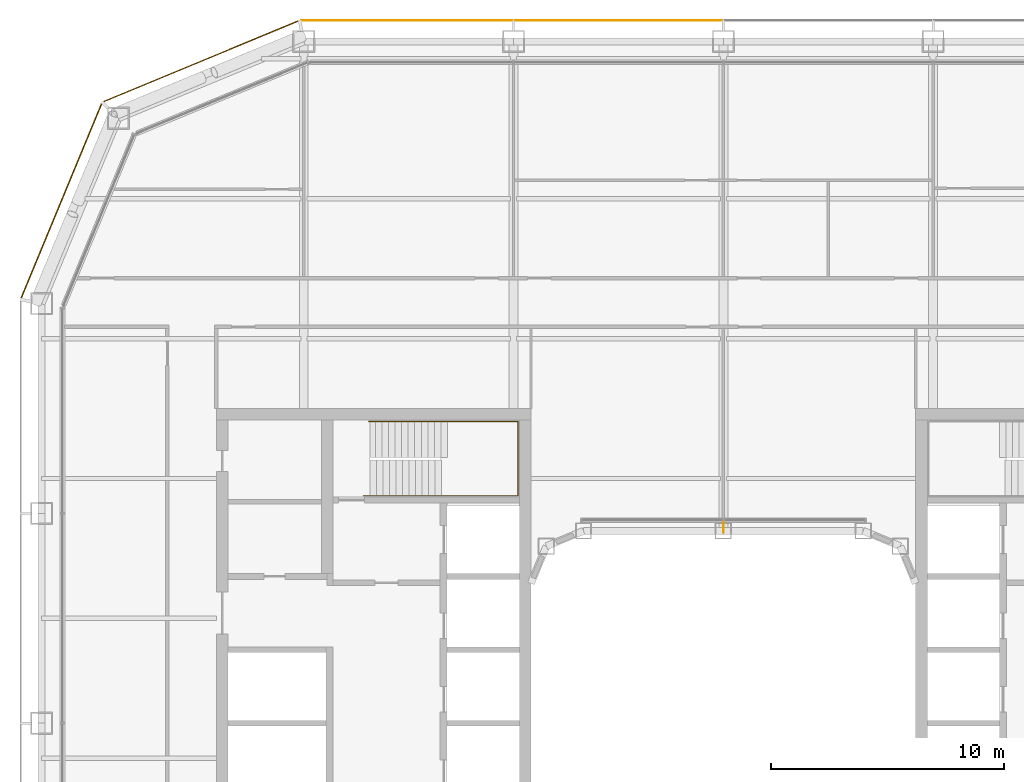
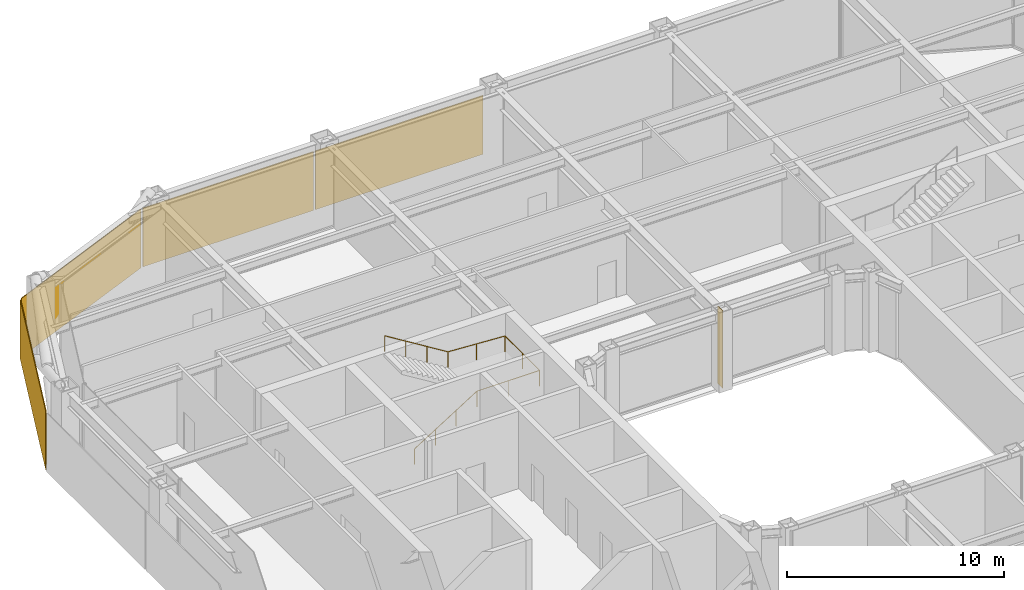
# One storey, part 20 of 21: 4 coverings, 1 railing, 1 shading device.
"""IFC4 building model written with IfcOpenShell, lengths in metres."""

from ifc_helpers import new_model, si_unit, direction, frame, origin, origin_2d, place, context, subcontext, project, spatial, rectangle, circle, extrude, material, layer, layer_set, type_object, element, save


model = new_model("IFC4")

# Units and contexts
model_context = context("Model", 3, precision=1e-05, world=origin(), true_north=direction((0.0, 1.0)))
body_context = subcontext(model_context, "Body", "Model", "MODEL_VIEW")
ifc_project = project(units=[si_unit("LENGTHUNIT", "METRE"), si_unit("AREAUNIT", "SQUARE_METRE"), si_unit("VOLUMEUNIT", "CUBIC_METRE"), si_unit("PLANEANGLEUNIT", "RADIAN"), si_unit("MASSUNIT", "GRAM", prefix="KILO")], contexts=[model_context])

# Site, building, storey
site_placement = place(None, origin())
site = spatial("IfcSite", under=ifc_project, at=site_placement, CompositionType="ELEMENT")
building_placement = place(site_placement, origin())
building = spatial("IfcBuilding", under=site, at=building_placement, Name="Siwar Civic Tower", CompositionType="ELEMENT")
storey_placement = place(building_placement, frame((0.0, 0.0, 104.699951171875)))
storey = spatial("IfcBuildingStorey", under=building, at=storey_placement, Name="L22", CompositionType="ELEMENT", Elevation=104.699951171875)

# Railing
ifc_material_1 = material(Name="Stainless steel", Category="steel")
railing_type = type_object("IfcRailingType", Name="CORE-STAIR-HANDRAIL", PredefinedType="HANDRAIL", material=ifc_material_1)
railing_placement = place(storey_placement, frame((-15.449951171875, 9.758056640625, 0.173095703125)))
element("IfcRailing", 1, at=railing_placement, inside=storey, type_object=railing_type, Name="Stair handrail ST1", PredefinedType="HANDRAIL", context=body_context, shape_type="SweptSolid", body=[
    extrude(circle(Radius=0.02001953125, at=origin_2d()), frame((0.0, 0.0, 0.8798828125), z_axis=(0.847063342986, 0.0, 0.531491950051), x_axis=(0.0, 1.0, 0.0)), (0.0, 0.0, 1.0), 3.90771484375),
    extrude(circle(Radius=0.02001953125, at=origin_2d()), frame((3.31005859375, 0.0, 2.956787109375), z_axis=(1.0, 0.0, 0.0), x_axis=(0.0, 1.0, 0.0)), (0.0, 0.0, 1.0), 3.331787109375),
    extrude(circle(Radius=0.02001953125, at=origin_2d()), frame((6.641845703125, 0.0, 2.956787109375), z_axis=(0.0, 1.0, 0.0), x_axis=(-1.0, 0.0, 0.0)), (0.0, 0.0, 1.0), 3.183837890625),
    extrude(circle(Radius=0.02001953125, at=origin_2d()), frame((6.641845703125, 3.183837890625, 2.956787109375), z_axis=(-0.99837434197, 0.0, 0.056997134106), x_axis=(0.0, -1.0, 0.0)), (0.0, 0.0, 1.0), 3.036865234375),
    extrude(circle(Radius=0.02001953125, at=origin_2d()), frame((3.60986328125, 3.183837890625, 3.1298828125), z_axis=(-0.850606129759, 0.0, 0.525803396734), x_axis=(0.0, -1.0, 0.0)), (0.0, 0.0, 1.0), 3.949951171875),
    extrude(circle(Radius=0.02001953125, at=origin_2d()), origin(), (0.0, 0.0, 1.0), 0.85986328125),
    extrude(circle(Radius=0.02001953125, at=origin_2d()), frame((1.103271484375, 0.0, 0.6923828125)), (0.0, 0.0, 1.0), 0.85986328125),
    extrude(circle(Radius=0.02001953125, at=origin_2d()), frame((2.206787109375, 0.0, 1.384521484375)), (0.0, 0.0, 1.0), 0.85986328125),
    extrude(circle(Radius=0.02001953125, at=origin_2d()), frame((3.31005859375, 0.0, 2.076904296875)), (0.0, 0.0, 1.0), 0.85986328125),
    extrude(circle(Radius=0.02001953125, at=origin_2d()), frame((4.97607421875, 0.0, 2.076904296875)), (0.0, 0.0, 1.0), 0.85986328125),
    extrude(circle(Radius=0.02001953125, at=origin_2d()), frame((6.641845703125, 0.0, 2.076904296875)), (0.0, 0.0, 1.0), 0.85986328125),
    extrude(circle(Radius=0.02001953125, at=origin_2d()), frame((6.641845703125, 1.591796875, 2.076904296875)), (0.0, 0.0, 1.0), 0.85986328125),
    extrude(circle(Radius=0.02001953125, at=origin_2d()), frame((6.641845703125, 3.183837890625, 2.076904296875)), (0.0, 0.0, 1.0), 0.85986328125),
    extrude(circle(Radius=0.02001953125, at=origin_2d()), frame((5.1259765625, 3.183837890625, 2.16357421875)), (0.0, 0.0, 1.0), 0.85986328125),
    extrude(circle(Radius=0.02001953125, at=origin_2d()), frame((3.60986328125, 3.183837890625, 2.25)), (0.0, 0.0, 1.0), 0.85986328125),
    extrude(circle(Radius=0.02001953125, at=origin_2d()), frame((2.489990234375, 3.183837890625, 2.9423828125)), (0.0, 0.0, 1.0), 0.85986328125),
    extrude(circle(Radius=0.02001953125, at=origin_2d()), frame((1.369873046875, 3.183837890625, 3.634521484375)), (0.0, 0.0, 1.0), 0.85986328125),
    extrude(circle(Radius=0.02001953125, at=origin_2d()), frame((0.25, 3.183837890625, 4.326904296875)), (0.0, 0.0, 1.0), 0.85986328125),
])

# Shading device
ifc_material_2 = material(Name="Aluminium 6063-T6", Category="aluminium")
ifc_layer_1 = layer(ifc_material_2, 0.02001953125)
ifc_layer_set_1 = layer_set([ifc_layer_1], Name="Aluminium 6063-T6")
shading_device_type = type_object("IfcShadingDeviceType", Name="ENV-FIN", PredefinedType="JALOUSIE", material=ifc_layer_set_1)
shading_device_placement = place(storey_placement, frame((0.0, 8.39501953125, 0.0), z_axis=(0.0, 0.0, 1.0), x_axis=(-1.0, 0.0, 0.0)))
element("IfcShadingDevice", 2, at=shading_device_placement, inside=storey, type_object=shading_device_type, Name="SUNSHADE fin WN 1", PredefinedType="JALOUSIE", context=body_context, shape_type="SweptSolid", body=[
    extrude(rectangle(XDim=0.02001953125, YDim=0.449951171875, at=origin_2d()), origin(), (0.0, 0.0, 1.0), 4.35009765625),
])

# Coverings
ifc_material_3 = material(Name="Perforated aluminium cassette, pale metal", Category="aluminium")
ifc_layer_2 = layer(ifc_material_3, 0.0400390625)
ifc_layer_set_2 = layer_set([ifc_layer_2], Name="Perforated aluminium cassette, pale metal")
covering_type_1 = type_object("IfcCoveringType", Name="ENV-OUTER SKIN OS-1", PredefinedType="CLADDING", material=ifc_layer_set_2)
covering_1_placement = place(storey_placement, frame((-4.5, 30.14990234375, -0.14990234375), z_axis=(0.0, 0.0, 1.0), x_axis=(-1.0, 0.0, 0.0)))
element("IfcCovering", 3, at=covering_1_placement, inside=storey, type_object=covering_type_1, Name="OUTER SKIN OS-1 N 3", PredefinedType="CLADDING", context=body_context, shape_type="SweptSolid", body=[
    extrude(rectangle(XDim=8.89990234375, YDim=0.0400390625, at=origin_2d()), origin(), (0.0, 0.0, 1.0), 3.300048828125),
])
covering_2_placement = place(storey_placement, frame((-13.57958984375, 30.14990234375, -0.14990234375), z_axis=(0.0, 0.0, 1.0), x_axis=(-1.0, 0.0, 0.0)))
element("IfcCovering", 4, at=covering_2_placement, inside=storey, type_object=covering_type_1, Name="OUTER SKIN OS-1 N 4", PredefinedType="CLADDING", context=body_context, shape_type="SweptSolid", body=[
    extrude(rectangle(XDim=9.05908203125, YDim=0.0400390625, at=origin_2d()), origin(), (0.0, 0.0, 1.0), 3.300048828125),
])
covering_3_placement = place(storey_placement, frame((-22.411376953125, 28.39697265625, -0.14990234375), z_axis=(0.0, 0.0, 1.0), x_axis=(-0.923879532511, -0.382683432365, 0.0)))
element("IfcCovering", 5, at=covering_3_placement, inside=storey, type_object=covering_type_1, Name="OUTER SKIN OS-1 NW1 1", PredefinedType="CLADDING", context=body_context, shape_type="SweptSolid", body=[
    extrude(rectangle(XDim=9.022216796875, YDim=0.0400390625, at=origin_2d()), origin(), (0.0, 0.0, 1.0), 3.300048828125),
])
ifc_material_4 = material(Name="Perforated aluminium cassette, pale metal", Category="aluminium")
ifc_layer_3 = layer(ifc_material_4, 0.044921875)
ifc_layer_set_3 = layer_set([ifc_layer_3], Name="Perforated aluminium cassette, pale metal")
covering_type_2 = type_object("IfcCoveringType", Name="ENV-OUTER SKIN OS-2", PredefinedType="CLADDING", material=ifc_layer_set_3)
covering_4_placement = place(storey_placement, frame((-28.39697265625, 22.411376953125, -0.14990234375), z_axis=(0.0, 0.0, 1.0), x_axis=(-0.382683432365, -0.923879532511, 0.0)))
element("IfcCovering", 6, at=covering_4_placement, inside=storey, type_object=covering_type_2, Name="OUTER SKIN OS-2 NW2 1", PredefinedType="CLADDING", context=body_context, shape_type="SweptSolid", body=[
    extrude(rectangle(XDim=9.022216796875, YDim=0.044921875, at=origin_2d()), origin(), (0.0, 0.0, 1.0), 3.300048828125),
])

save(model, "model.ifc")
